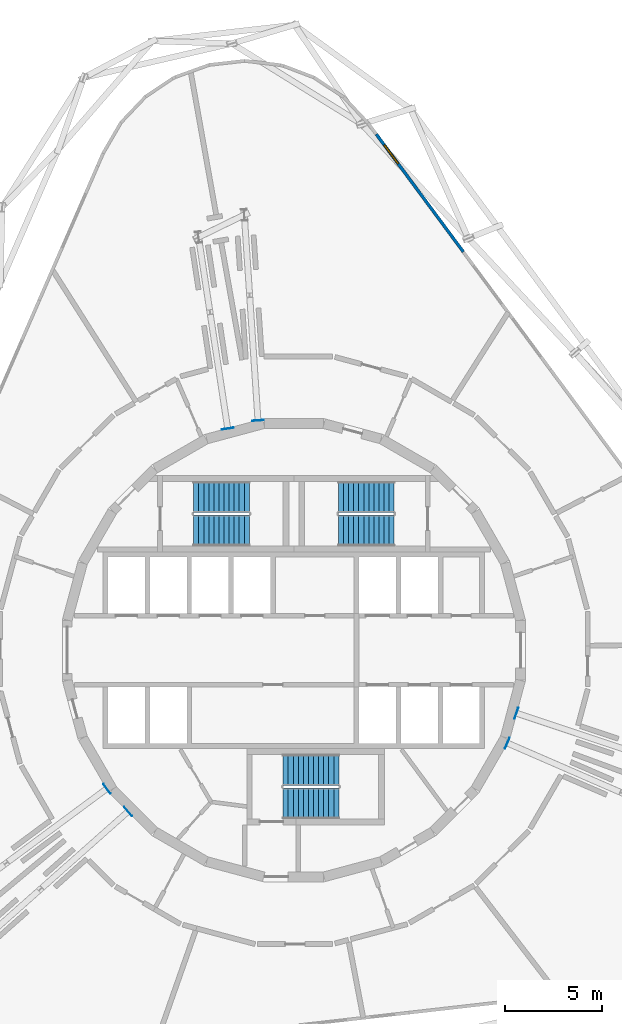
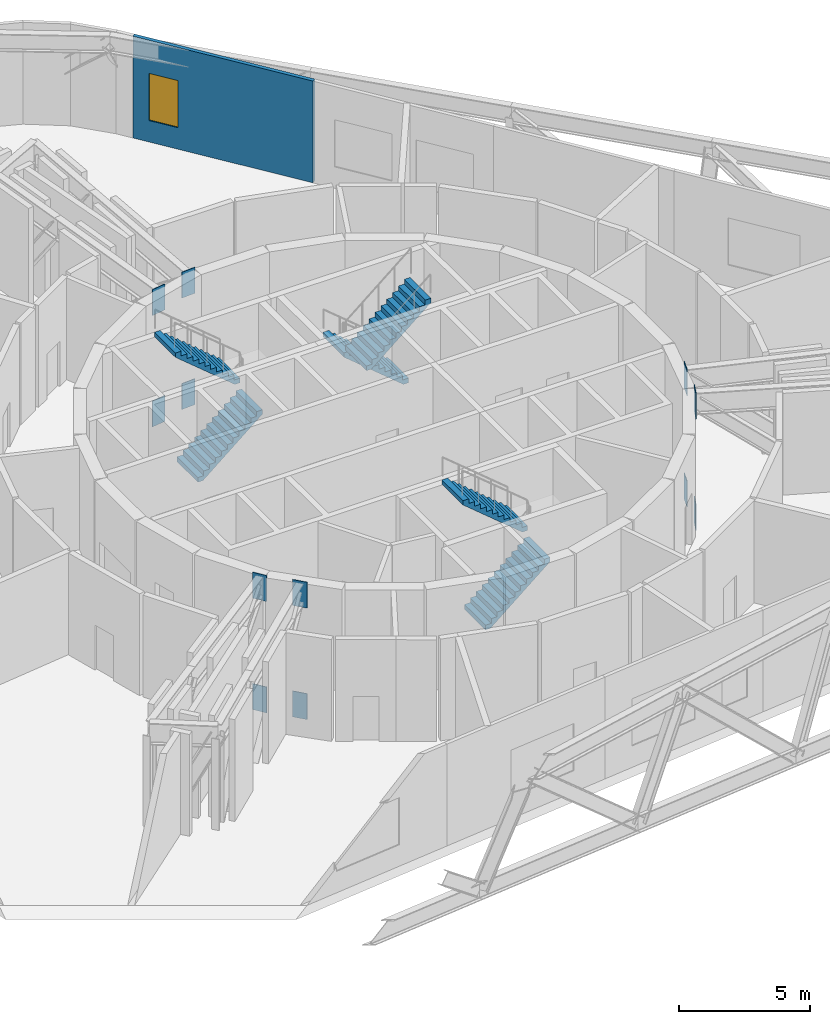
# One storey, part 10 of 11: 12 discrete accessories, 6 stair flights, 1 wall, 1 window, 1 opening, 3 elements without a shape of their own.
"""IFC4 building model written with IfcOpenShell, lengths in metres."""

from ifc_helpers import new_model, si_unit, direction, frame, frame_2d, origin, origin_2d, place, context, subcontext, project, spatial, polyline, rectangle, outline, extrude, material, layer, layer_set, type_object, element, fill, aggregate, save


model = new_model("IFC4")

# Units and contexts
model_context = context("Model", 3, precision=1e-05, world=origin(), true_north=direction((0.0, 1.0)))
body_context = subcontext(model_context, "Body", "Model", "MODEL_VIEW")
ifc_project = project(units=[si_unit("LENGTHUNIT", "METRE"), si_unit("AREAUNIT", "SQUARE_METRE"), si_unit("VOLUMEUNIT", "CUBIC_METRE"), si_unit("PLANEANGLEUNIT", "RADIAN"), si_unit("MASSUNIT", "GRAM", prefix="KILO")], contexts=[model_context])

# Site, building, storey
site_placement = place(None, origin())
site = spatial("IfcSite", under=ifc_project, at=site_placement, CompositionType="ELEMENT")
building_placement = place(site_placement, origin())
building = spatial("IfcBuilding", under=site, at=building_placement, Name="Spindle Arch Residences", CompositionType="ELEMENT")
storey_placement = place(building_placement, frame((0.0, 0.0, 108.199951171875)))
storey = spatial("IfcBuildingStorey", under=building, at=storey_placement, Name="L26", CompositionType="ELEMENT", Elevation=108.199951171875)

# Wall, opening, window
ifc_material_1 = material(Name="Non-combustible mineral wool insulated aluminium faced external wall (K0)", Category="aluminium")
ifc_layer_1 = layer(ifc_material_1, 0.159912109375)
ifc_layer_set_1 = layer_set([ifc_layer_1], Name="Insulated external wall panel 160")
wall_type = type_object("IfcWallType", Name="Insulated external wall panel 160", PredefinedType="STANDARD", material=ifc_layer_set_1)
wall_placement = place(storey_placement, frame((8.70751953125, 20.473388671875, 0.0), z_axis=(0.0, 0.0, 1.0), x_axis=(-0.594833773541, 0.803848730704, 0.0)))
wall = element("IfcWall", 1, at=wall_placement, inside=storey, type_object=wall_type, Name="Plant wall L26 bay 10", PredefinedType="STANDARD", context=body_context, shape_type="SweptSolid", body=[
    extrude(rectangle(XDim=7.518798828125, YDim=0.159912109375, at=frame_2d((3.75927734375, 0.0))), origin(), (0.0, 0.0, 1.0), 4.75),
])
opening_placement = place(wall_placement, frame((5.63671875, 0.0, 1.0)))
opening = element("IfcOpeningElement", 2, at=opening_placement, cuts=wall, Name="Opening LW4", PredefinedType="OPENING", context=body_context, shape_type="SweptSolid", body=[
    extrude(rectangle(XDim=1.199951171875, YDim=2.199951171875, at=frame_2d((0.60009765625, 1.10009765625))), frame((0.0, 0.08984375, 0.0), z_axis=(0.0, -1.0, 0.0), x_axis=(1.0, 0.0, 0.0)), (0.0, 0.0, 1.0), 0.179931640625),
])
ifc_material_2 = material(Name="Bronze anodised aluminium fixed louvre", Category="aluminium")
window_type = type_object("IfcWindowType", Name="Plant louvre opening 1200x2200", PartitioningType="SINGLE_PANEL", PredefinedType="WINDOW", material=ifc_material_2)
window_placement = place(opening_placement, origin())
window = element("IfcWindow", 3, at=window_placement, inside=storey, type_object=window_type, Name="Louvre opening L26 bay 10.1", OverallHeight=2.199951171875, OverallWidth=1.199951171875, PartitioningType="SINGLE_PANEL", PredefinedType="WINDOW", context=body_context, shape_type="SweptSolid", body=[
    extrude(rectangle(XDim=1.199951171875, YDim=2.199951171875, at=frame_2d((0.60009765625, 1.10009765625))), frame((0.0, 0.030029296875, 0.0), z_axis=(0.0, -1.0, 0.0), x_axis=(1.0, 0.0, 0.0)), (0.0, 0.0, 1.0), 0.06005859375),
])
fill(opening, window)

# Stair, stair flights
ifc_material_3 = material(Name="Concrete C50/60", Category="concrete")
stair_type = type_object("IfcStairType", Name="Exit stair 24 risers", PredefinedType="HALF_TURN_STAIR", material=ifc_material_3)
stair_1_placement = place(storey_placement, origin())
stair_1 = element("IfcStair", 4, at=stair_1_placement, inside=storey, type_object=stair_type, Name="L26 Exit stair ST1", PredefinedType="HALF_TURN_STAIR")
ifc_material_4 = material(Name="Concrete C50/60", Category="concrete")
stair_flight_type = type_object("IfcStairFlightType", Name="Exit stair flight", PredefinedType="STRAIGHT", material=ifc_material_4)
stair_flight_1_placement = place(storey_placement, frame((5.14990234375, 7.8701171875, 0.0), z_axis=(0.0, 0.0, 1.0), x_axis=(-1.0, 0.0, 0.0)))
stair_flight_1 = element("IfcStairFlight", 5, at=stair_flight_1_placement, type_object=stair_flight_type, Name="ST1 flight 1", NumberOfRisers=12, NumberOfTreads=11, PredefinedType="STRAIGHT", RiserHeight=0.216666667, TreadLength=0.26, context=body_context, shape_type="SweptSolid", body=[
    extrude(outline(polyline([(0.0, 0.0), (0.0, 0.216552734375), (0.260009765625, 0.216552734375), (0.260009765625, 0.433349609375), (0.52001953125, 0.433349609375), (0.52001953125, 0.64990234375), (0.780029296875, 0.64990234375), (0.780029296875, 0.86669921875), (1.0400390625, 0.86669921875), (1.0400390625, 1.083251953125), (1.300048828125, 1.083251953125), (1.300048828125, 1.300048828125), (1.56005859375, 1.300048828125), (1.56005859375, 1.5166015625), (1.820068359375, 1.5166015625), (1.820068359375, 1.7333984375), (2.080078125, 1.7333984375), (2.080078125, 1.949951171875), (2.340087890625, 1.949951171875), (2.340087890625, 2.166748046875), (2.60009765625, 2.166748046875), (2.60009765625, 2.38330078125), (2.860107421875, 2.38330078125), (2.860107421875, 2.60009765625), (2.860107421875, 2.188232421875), (0.234130859375, 0.0), (0.0, 0.0)])), frame((0.0, 0.800048828125, 0.0), z_axis=(0.0, -1.0, 0.0), x_axis=(1.0, 0.0, 0.0)), (0.0, 0.0, 1.0), 1.60009765625),
])
stair_flight_2_placement = place(storey_placement, frame((2.2900390625, 6.14990234375, 2.60009765625), z_axis=(0.0, 0.0, 1.0), x_axis=(1.0, 0.0, 0.0)))
stair_flight_2 = element("IfcStairFlight", 6, at=stair_flight_2_placement, type_object=stair_flight_type, Name="ST1 flight 2", NumberOfRisers=12, NumberOfTreads=11, PredefinedType="STRAIGHT", RiserHeight=0.216666667, TreadLength=0.26, context=body_context, shape_type="SweptSolid", body=[
    extrude(outline(polyline([(0.0, 0.0), (0.0, 0.216552734375), (0.260009765625, 0.216552734375), (0.260009765625, 0.433349609375), (0.52001953125, 0.433349609375), (0.52001953125, 0.64990234375), (0.780029296875, 0.64990234375), (0.780029296875, 0.86669921875), (1.0400390625, 0.86669921875), (1.0400390625, 1.083251953125), (1.300048828125, 1.083251953125), (1.300048828125, 1.300048828125), (1.56005859375, 1.300048828125), (1.56005859375, 1.5166015625), (1.820068359375, 1.5166015625), (1.820068359375, 1.7333984375), (2.080078125, 1.7333984375), (2.080078125, 1.949951171875), (2.340087890625, 1.949951171875), (2.340087890625, 2.166748046875), (2.60009765625, 2.166748046875), (2.60009765625, 2.38330078125), (2.860107421875, 2.38330078125), (2.860107421875, 2.60009765625), (2.860107421875, 2.188232421875), (0.234130859375, 0.0), (0.0, 0.0)])), frame((0.0, 0.800048828125, 0.0), z_axis=(0.0, -1.0, 0.0), x_axis=(1.0, 0.0, 0.0)), (0.0, 0.0, 1.0), 1.60009765625),
])
aggregate(stair_1, [stair_flight_1, stair_flight_2])

stair_2_placement = place(storey_placement, origin())
stair_2 = element("IfcStair", 7, at=stair_2_placement, inside=storey, type_object=stair_type, Name="L26 Exit stair ST2", PredefinedType="HALF_TURN_STAIR")
stair_flight_3_placement = place(storey_placement, frame((-5.14990234375, 6.14990234375, 0.0), z_axis=(0.0, 0.0, 1.0), x_axis=(1.0, 0.0, 0.0)))
stair_flight_3 = element("IfcStairFlight", 8, at=stair_flight_3_placement, type_object=stair_flight_type, Name="ST2 flight 1", NumberOfRisers=12, NumberOfTreads=11, PredefinedType="STRAIGHT", RiserHeight=0.216666667, TreadLength=0.26, context=body_context, shape_type="SweptSolid", body=[
    extrude(outline(polyline([(0.0, 0.0), (0.0, 0.216552734375), (0.260009765625, 0.216552734375), (0.260009765625, 0.433349609375), (0.52001953125, 0.433349609375), (0.52001953125, 0.64990234375), (0.780029296875, 0.64990234375), (0.780029296875, 0.86669921875), (1.0400390625, 0.86669921875), (1.0400390625, 1.083251953125), (1.300048828125, 1.083251953125), (1.300048828125, 1.300048828125), (1.56005859375, 1.300048828125), (1.56005859375, 1.5166015625), (1.820068359375, 1.5166015625), (1.820068359375, 1.7333984375), (2.080078125, 1.7333984375), (2.080078125, 1.949951171875), (2.340087890625, 1.949951171875), (2.340087890625, 2.166748046875), (2.60009765625, 2.166748046875), (2.60009765625, 2.38330078125), (2.860107421875, 2.38330078125), (2.860107421875, 2.60009765625), (2.860107421875, 2.188232421875), (0.234130859375, 0.0), (0.0, 0.0)])), frame((0.0, 0.800048828125, 0.0), z_axis=(0.0, -1.0, 0.0), x_axis=(1.0, 0.0, 0.0)), (0.0, 0.0, 1.0), 1.60009765625),
])
stair_flight_4_placement = place(storey_placement, frame((-2.2900390625, 7.8701171875, 2.60009765625), z_axis=(0.0, 0.0, 1.0), x_axis=(-1.0, 0.0, 0.0)))
stair_flight_4 = element("IfcStairFlight", 9, at=stair_flight_4_placement, type_object=stair_flight_type, Name="ST2 flight 2", NumberOfRisers=12, NumberOfTreads=11, PredefinedType="STRAIGHT", RiserHeight=0.216666667, TreadLength=0.26, context=body_context, shape_type="SweptSolid", body=[
    extrude(outline(polyline([(0.0, 0.0), (0.0, 0.216552734375), (0.260009765625, 0.216552734375), (0.260009765625, 0.433349609375), (0.52001953125, 0.433349609375), (0.52001953125, 0.64990234375), (0.780029296875, 0.64990234375), (0.780029296875, 0.86669921875), (1.0400390625, 0.86669921875), (1.0400390625, 1.083251953125), (1.300048828125, 1.083251953125), (1.300048828125, 1.300048828125), (1.56005859375, 1.300048828125), (1.56005859375, 1.5166015625), (1.820068359375, 1.5166015625), (1.820068359375, 1.7333984375), (2.080078125, 1.7333984375), (2.080078125, 1.949951171875), (2.340087890625, 1.949951171875), (2.340087890625, 2.166748046875), (2.60009765625, 2.166748046875), (2.60009765625, 2.38330078125), (2.860107421875, 2.38330078125), (2.860107421875, 2.60009765625), (2.860107421875, 2.188232421875), (0.234130859375, 0.0), (0.0, 0.0)])), frame((0.0, 0.800048828125, 0.0), z_axis=(0.0, -1.0, 0.0), x_axis=(1.0, 0.0, 0.0)), (0.0, 0.0, 1.0), 1.60009765625),
])
aggregate(stair_2, [stair_flight_3, stair_flight_4])

stair_3_placement = place(storey_placement, origin())
stair_3 = element("IfcStair", 10, at=stair_3_placement, inside=storey, type_object=stair_type, Name="L26 Exit stair ST3", PredefinedType="HALF_TURN_STAIR")
stair_flight_5_placement = place(storey_placement, frame((-0.550048828125, -7.8701171875, 0.0), z_axis=(0.0, 0.0, 1.0), x_axis=(1.0, 0.0, 0.0)))
stair_flight_5 = element("IfcStairFlight", 11, at=stair_flight_5_placement, type_object=stair_flight_type, Name="ST3 flight 1", NumberOfRisers=12, NumberOfTreads=11, PredefinedType="STRAIGHT", RiserHeight=0.216666667, TreadLength=0.26, context=body_context, shape_type="SweptSolid", body=[
    extrude(outline(polyline([(0.0, 0.0), (0.0, 0.216552734375), (0.260009765625, 0.216552734375), (0.260009765625, 0.433349609375), (0.52001953125, 0.433349609375), (0.52001953125, 0.64990234375), (0.780029296875, 0.64990234375), (0.780029296875, 0.86669921875), (1.0400390625, 0.86669921875), (1.0400390625, 1.083251953125), (1.300048828125, 1.083251953125), (1.300048828125, 1.300048828125), (1.56005859375, 1.300048828125), (1.56005859375, 1.5166015625), (1.820068359375, 1.5166015625), (1.820068359375, 1.7333984375), (2.080078125, 1.7333984375), (2.080078125, 1.949951171875), (2.340087890625, 1.949951171875), (2.340087890625, 2.166748046875), (2.60009765625, 2.166748046875), (2.60009765625, 2.38330078125), (2.860107421875, 2.38330078125), (2.860107421875, 2.60009765625), (2.860107421875, 2.188232421875), (0.234130859375, 0.0), (0.0, 0.0)])), frame((0.0, 0.800048828125, 0.0), z_axis=(0.0, -1.0, 0.0), x_axis=(1.0, 0.0, 0.0)), (0.0, 0.0, 1.0), 1.60009765625),
])
stair_flight_6_placement = place(storey_placement, frame((2.31005859375, -6.14990234375, 2.60009765625), z_axis=(0.0, 0.0, 1.0), x_axis=(-1.0, 0.0, 0.0)))
stair_flight_6 = element("IfcStairFlight", 12, at=stair_flight_6_placement, type_object=stair_flight_type, Name="ST3 flight 2", NumberOfRisers=12, NumberOfTreads=11, PredefinedType="STRAIGHT", RiserHeight=0.216666667, TreadLength=0.26, context=body_context, shape_type="SweptSolid", body=[
    extrude(outline(polyline([(0.0, 0.0), (0.0, 0.216552734375), (0.260009765625, 0.216552734375), (0.260009765625, 0.433349609375), (0.52001953125, 0.433349609375), (0.52001953125, 0.64990234375), (0.780029296875, 0.64990234375), (0.780029296875, 0.86669921875), (1.0400390625, 0.86669921875), (1.0400390625, 1.083251953125), (1.300048828125, 1.083251953125), (1.300048828125, 1.300048828125), (1.56005859375, 1.300048828125), (1.56005859375, 1.5166015625), (1.820068359375, 1.5166015625), (1.820068359375, 1.7333984375), (2.080078125, 1.7333984375), (2.080078125, 1.949951171875), (2.340087890625, 1.949951171875), (2.340087890625, 2.166748046875), (2.60009765625, 2.166748046875), (2.60009765625, 2.38330078125), (2.860107421875, 2.38330078125), (2.860107421875, 2.60009765625), (2.860107421875, 2.188232421875), (0.234130859375, 0.0), (0.0, 0.0)])), frame((0.0, 0.800048828125, 0.0), z_axis=(0.0, -1.0, 0.0), x_axis=(1.0, 0.0, 0.0)), (0.0, 0.0, 1.0), 1.60009765625),
])
aggregate(stair_3, [stair_flight_5, stair_flight_6])

# Discrete accessories
ifc_material_5 = material(Name="Steel S355J2, hot-dip galvanised", Category="steel")
ifc_layer_2 = layer(ifc_material_5, 0.030029296875)
ifc_layer_set_2 = layer_set([ifc_layer_2], Name="Cast-in plate 30x600x1208")
discrete_accessory_type = type_object("IfcDiscreteAccessoryType", Name="Cast-in plate 30x600x1208", PredefinedType="ANCHORPLATE", material=ifc_layer_set_2)
for number, where, z_axis, x_axis, name in (
    (13, (10.96728515625, -4.768798828125, -1.557861328125), (0.0, 0.0, 1.0), (0.917060770332, -0.398747468353, 0.0), "Cast-in plate"),
    (14, (10.96728515625, -4.768798828125, 3.64208984375), (0.0, 0.0, 1.0), (0.917060770332, -0.398747468353, 0.0), "Cast-in plate"),
    (15, (11.434814453125, -3.234375, -1.557861328125), (0.0, 0.0, 1.0), (0.948612345769, -0.316440543316, 0.0), "Cast-in plate"),
    (16, (11.434814453125, -3.234375, 3.64208984375), (0.0, 0.0, 1.0), (0.948612345769, -0.316440543316, 0.0), "Cast-in plate"),
    (17, (-1.8447265625, 11.8076171875, -1.557861328125), (0.0, 0.0, 1.0), (-0.06651248292, 0.997785593009, 0.0), "Cast-in plate"),
    (18, (-1.8447265625, 11.8076171875, 3.64208984375), (0.0, 0.0, 1.0), (-0.06651248292, 0.997785593009, 0.0), "Cast-in plate"),
    (19, (-3.400146484375, 11.390380859375, -1.557861328125), (0.0, 0.0, 1.0), (-0.150772556831, 0.988568478208, 0.0), "Cast-in plate"),
    (20, (-3.400146484375, 11.390380859375, 3.64208984375), (0.0, 0.0, 1.0), (-0.150772556831, 0.988568478208, 0.0), "Cast-in plate"),
    (21, (-9.613525390625, -7.113525390625, -1.557861328125), (0.0, 0.0, 1.0), (-0.803856860617, -0.594822786751, 0.0), "Cast-in plate"),
    (22, (-9.613525390625, -7.113525390625, 3.64208984375), (0.0, 0.0, 1.0), (-0.803856860617, -0.594822786751, 0.0), "Cast-in plate"),
    (23, (-8.518310546875, -8.28564453125, -1.557861328125), (0.0, 0.0, 1.0), (-0.748349406818, -0.663304730358, 0.0), "Cast-in plate"),
    (24, (-8.518310546875, -8.28564453125, 3.64208984375), (0.0, 0.0, 1.0), (-0.748349406818, -0.663304730358, 0.0), "Cast-in plate"),
):
    element("IfcDiscreteAccessory", number, at=place(storey_placement, frame(where, z_axis=z_axis, x_axis=x_axis)), inside=storey, type_object=discrete_accessory_type, Name=name, PredefinedType="ANCHORPLATE", context=body_context, shape_type="SweptSolid", body=[
        extrude(rectangle(XDim=0.030029296875, YDim=0.60009765625, at=origin_2d()), origin(), (0.0, 0.0, 1.0), 1.2080078125),
    ])

save(model, "model.ifc")
